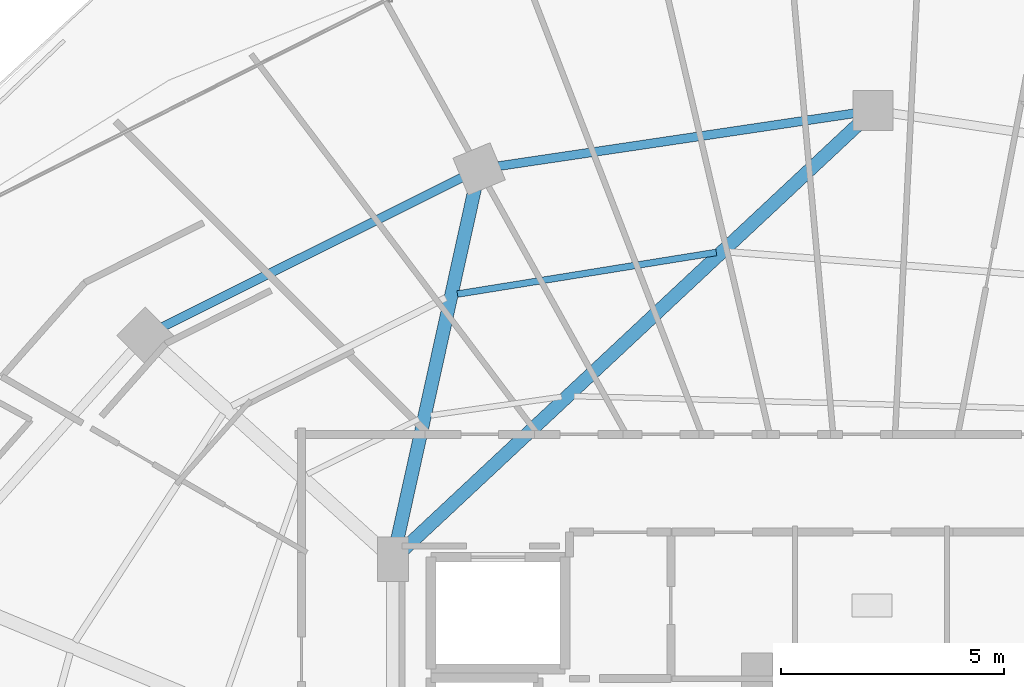
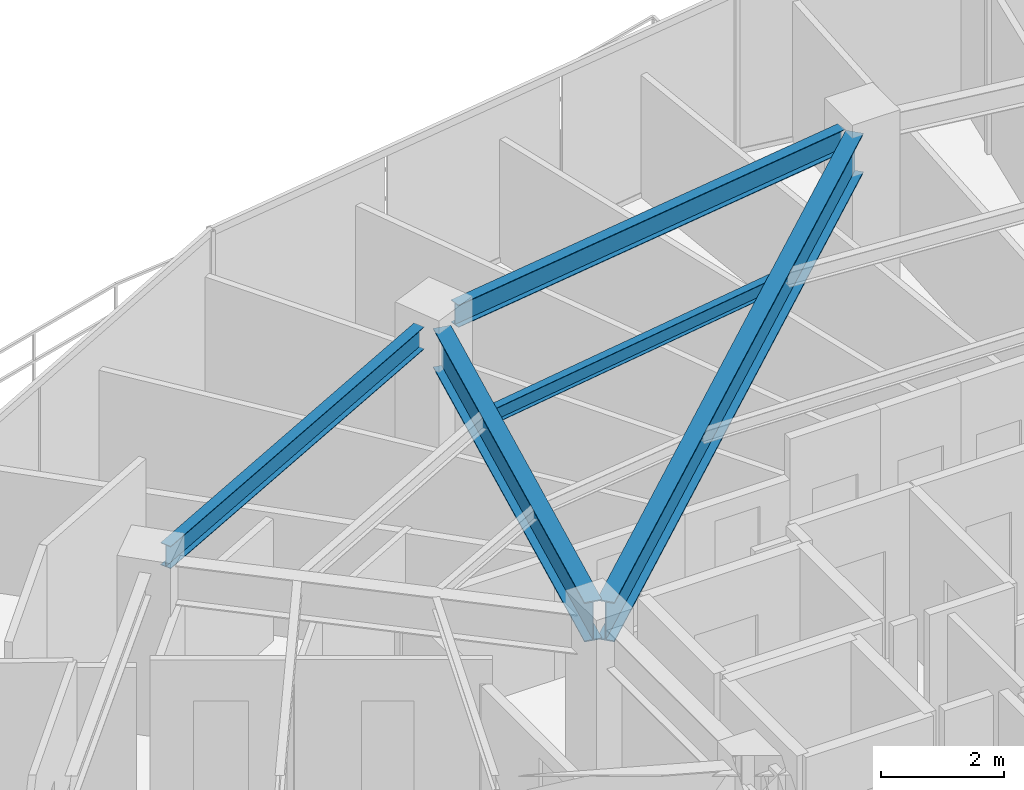
# One storey, part 19 of 33: 5 beams.
"""IFC4 building model written with IfcOpenShell, lengths in metres."""

from ifc_helpers import new_model, si_unit, direction, frame, origin, origin_2d, place, context, subcontext, project, spatial, i_section, extrude, material, material_profile, profile_set, type_object, element, save


model = new_model("IFC4")

# Units and contexts
model_context = context("Model", 3, precision=1e-05, world=origin(), true_north=direction((0.0, 1.0)))
body_context = subcontext(model_context, "Body", "Model", "MODEL_VIEW")
ifc_project = project(units=[si_unit("LENGTHUNIT", "METRE"), si_unit("AREAUNIT", "SQUARE_METRE"), si_unit("VOLUMEUNIT", "CUBIC_METRE"), si_unit("PLANEANGLEUNIT", "RADIAN"), si_unit("MASSUNIT", "GRAM", prefix="KILO")], contexts=[model_context])

# Site, building, storey
site_placement = place(None, origin())
site = spatial("IfcSite", under=ifc_project, at=site_placement, CompositionType="ELEMENT")
building_placement = place(site_placement, origin())
building = spatial("IfcBuilding", under=site, at=building_placement, Name="Vorneva Point Tower", CompositionType="ELEMENT")
storey_placement = place(building_placement, frame((0.0, 0.0, 196.60009765625)))
storey = spatial("IfcBuildingStorey", under=building, at=storey_placement, Name="L53", CompositionType="ELEMENT", Elevation=196.60009765625)

# Beams
ifc_material = material(Name="Steel S355", Category="steel")
ifc_material_profile_1 = material_profile(ifc_material, i_section(OverallWidth=0.300048828125, OverallDepth=0.7880859375, WebThickness=0.014404296875, FlangeThickness=0.02197265625, at=origin_2d()), Name="80Sh1")
ifc_profile_set_1 = profile_set([ifc_material_profile_1], Name="Steel S355")
beam_type_1 = type_object("IfcBeamType", Name="BM-GRD-80Sh1", PredefinedType="USERDEFINED", material=ifc_profile_set_1)
beam_1_placement = place(storey_placement, frame((37.679931640625, 42.90087890625, 2.845947265625), z_axis=(-0.730484767146, -0.682928989696, 0.0), x_axis=(0.682928989696, -0.730484767146, 0.0)))
element("IfcBeam", 1, at=beam_1_placement, inside=storey, type_object=beam_type_1, Name="L53 Radial Primary Girder 05", ObjectType="GIRDER", PredefinedType="USERDEFINED", context=body_context, shape_type="SweptSolid", body=[
    extrude(i_section(OverallWidth=0.300048828125, OverallDepth=0.7880859375, WebThickness=0.014404296875, FlangeThickness=0.02197265625, at=origin_2d()), origin(), (0.0, 0.0, 1.0), 13.938232421875),
])
beam_2_placement = place(storey_placement, frame((29.084716796875, 41.462890625, 2.845947265625), z_axis=(-0.215522758292, -0.976498817541, 0.0), x_axis=(0.976498817541, -0.215522758292, 0.0)))
element("IfcBeam", 2, at=beam_2_placement, inside=storey, type_object=beam_type_1, Name="L53 Radial Primary Girder 06", ObjectType="GIRDER", PredefinedType="USERDEFINED", context=body_context, shape_type="SweptSolid", body=[
    extrude(i_section(OverallWidth=0.300048828125, OverallDepth=0.7880859375, WebThickness=0.014404296875, FlangeThickness=0.02197265625, at=origin_2d()), origin(), (0.0, 0.0, 1.0), 8.173095703125),
])
ifc_material_profile_2 = material_profile(ifc_material, i_section(OverallWidth=0.14892578125, OverallDepth=0.298095703125, WebThickness=0.005615234375, FlangeThickness=0.008056640625, at=origin_2d()), Name="30B1")
ifc_profile_set_2 = profile_set([ifc_material_profile_2], Name="Steel S355")
beam_type_2 = type_object("IfcBeamType", Name="BM-JST-30B1", PredefinedType="JOIST", material=ifc_profile_set_2)
beam_3_placement = place(storey_placement, frame((34.4892578125, 40.0234375, 3.0908203125), z_axis=(-0.987297778526, -0.15888076195, 0.0), x_axis=(0.15888076195, -0.987297778526, 0.0)))
element("IfcBeam", 3, at=beam_3_placement, inside=storey, type_object=beam_type_2, Name="L53 Secondary Floor Beam 1.05", PredefinedType="JOIST", context=body_context, shape_type="SweptSolid", body=[
    extrude(i_section(OverallWidth=0.14892578125, OverallDepth=0.298095703125, WebThickness=0.005615234375, FlangeThickness=0.008056640625, at=origin_2d()), origin(), (0.0, 0.0, 1.0), 5.871337890625),
])
ifc_material_profile_3 = material_profile(ifc_material, i_section(OverallWidth=0.198974609375, OverallDepth=0.446044921875, WebThickness=0.008056640625, FlangeThickness=0.011962890625, at=origin_2d()), Name="45B1")
ifc_profile_set_3 = profile_set([ifc_material_profile_3], Name="Steel S355")
beam_type_3 = type_object("IfcBeamType", Name="BM-SPN-45B1", PredefinedType="SPANDREL", material=ifc_profile_set_3)
beam_4_placement = place(storey_placement, frame((37.569580078125, 43.135986328125, 3.016845703125), z_axis=(-0.989165476332, -0.146804837907, 0.0), x_axis=(0.146804837907, -0.989165476332, 0.0)))
element("IfcBeam", 4, at=beam_4_placement, inside=storey, type_object=beam_type_3, Name="L53 Perimeter Spandrel Ring Beam 05", PredefinedType="SPANDREL", context=body_context, shape_type="SweptSolid", body=[
    extrude(i_section(OverallWidth=0.198974609375, OverallDepth=0.446044921875, WebThickness=0.008056640625, FlangeThickness=0.011962890625, at=origin_2d()), origin(), (0.0, 0.0, 1.0), 8.04736328125),
])
beam_5_placement = place(storey_placement, frame((28.789794921875, 41.696533203125, 3.016845703125), z_axis=(-0.894922371084, -0.446221861559, 0.0), x_axis=(0.446221861559, -0.894922371084, 0.0)))
element("IfcBeam", 5, at=beam_5_placement, inside=storey, type_object=beam_type_3, Name="L53 Perimeter Spandrel Ring Beam 06", PredefinedType="SPANDREL", context=body_context, shape_type="SweptSolid", body=[
    extrude(i_section(OverallWidth=0.198974609375, OverallDepth=0.446044921875, WebThickness=0.008056640625, FlangeThickness=0.011962890625, at=origin_2d()), origin(), (0.0, 0.0, 1.0), 7.48583984375),
])

save(model, "model.ifc")
